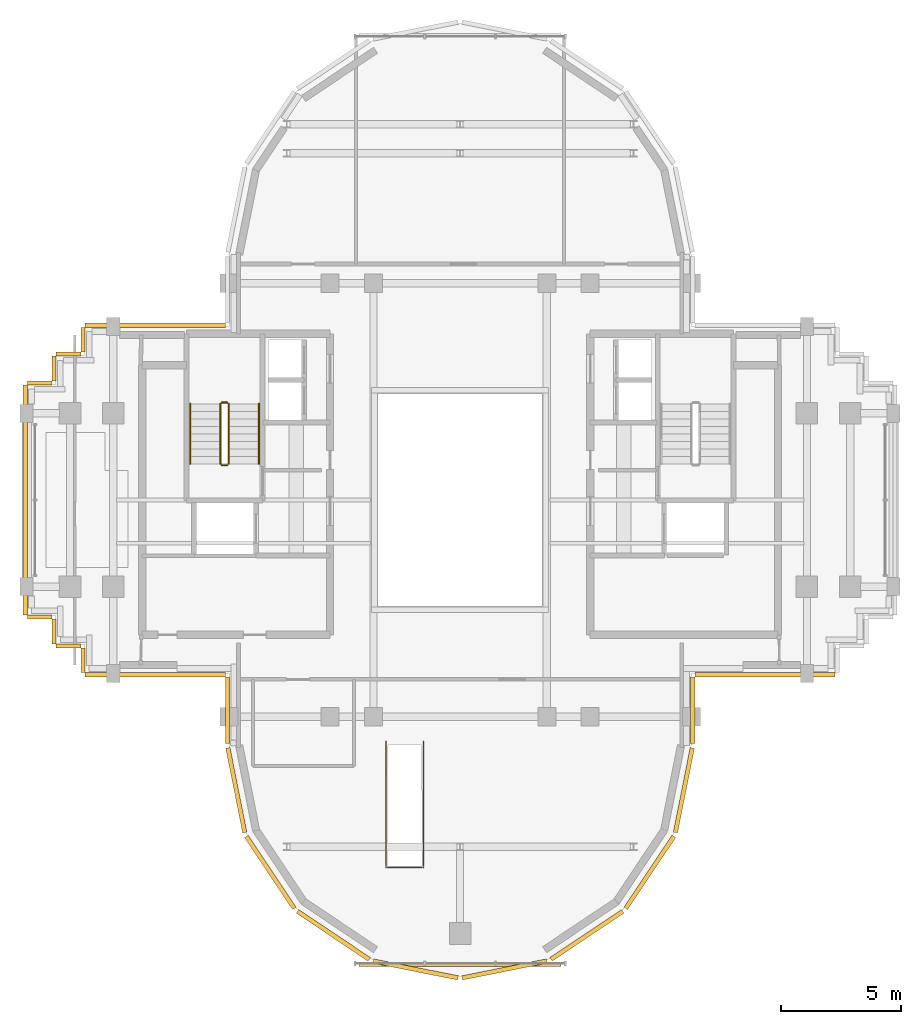
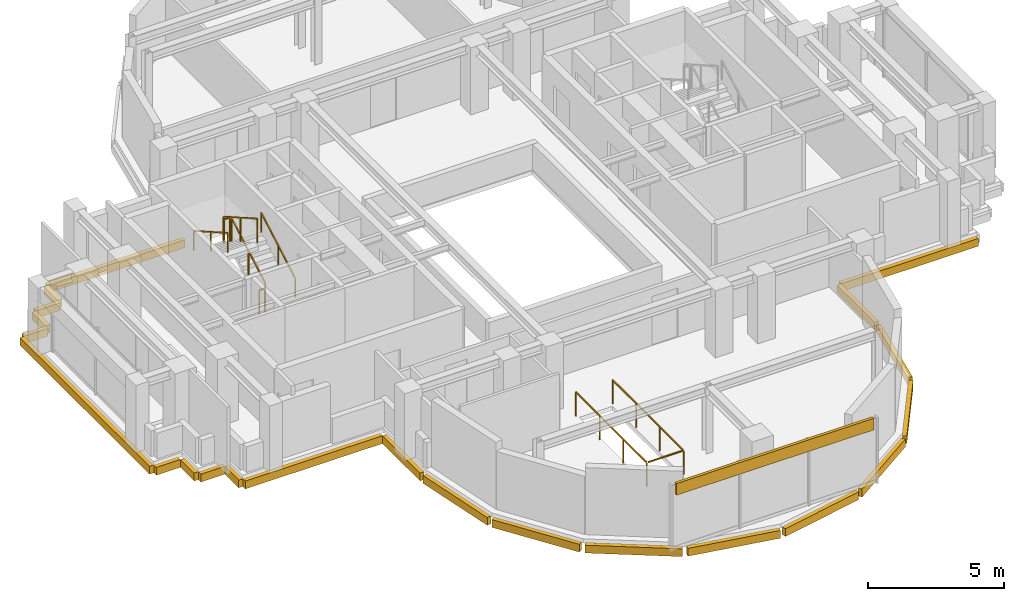
# One storey, part 11 of 12: 23 coverings, 7 railings.
"""IFC4 building model written with IfcOpenShell, lengths in metres."""

import ifcopenshell
import ifcopenshell.guid

model = None  # the IFC model being written
_history = None  # IfcOwnerHistory: only IFC2X3 demands one
_inside = {}  # id of a spatial element -> (the spatial element, [elements in it])
_under = {}  # id of a project, library or spatial element -> (it, [spatial elements below it])
_declared = {}  # id of a project -> (the project, [libraries it declares])
_typed = {}  # id of a type object -> (the type object, [elements of that type])
_made_of = {}  # id of a material, layer set ... -> (it, [elements and type objects made of it])


def new_model(schema):
    """Start an empty IFC model of exactly this schema.

    Asked for "IFC4X3", IfcOpenShell would pick the latest addendum, in which some entities
    have other attributes; the version numbers below select the first issue.
    IFC2X3 requires an IfcOwnerHistory on every rooted entity: one is made here for all.
    """
    global model, _history
    if schema == "IFC4X3":
        model = ifcopenshell.file(schema_version=(4, 3, 0, 0))
    else:
        model = ifcopenshell.file(schema=schema)
    _inside.clear()
    _under.clear()
    _declared.clear()
    _typed.clear()
    _made_of.clear()
    _history = None
    if model.schema == "IFC2X3":
        org = make("IfcOrganization", Name="unknown")
        user = make(
            "IfcPersonAndOrganization",
            ThePerson=make("IfcPerson", FamilyName="unknown"),
            TheOrganization=org,
        )
        app = make(
            "IfcApplication",
            ApplicationDeveloper=org,
            Version="unknown",
            ApplicationFullName="unknown",
            ApplicationIdentifier="unknown",
        )
        _history = make(
            "IfcOwnerHistory",
            OwningUser=user,
            OwningApplication=app,
            ChangeAction="ADDED",
            CreationDate=0,
        )
    return model


def make(cls, **values):
    """One entity of the class cls with the attributes given. An attribute that is None is left unset."""
    return model.create_entity(
        cls, **{name: value for name, value in values.items() if value is not None}
    )


def rooted(cls, **values):
    """An entity with a GlobalId (a new one), such as an element, a storey or a relation."""
    return make(cls, GlobalId=ifcopenshell.guid.new(), OwnerHistory=_history, **values)


def si_unit(unit_type, name, prefix=None):
    """IfcSIUnit, for example si_unit("LENGTHUNIT", "METRE", prefix="MILLI")."""
    return make("IfcSIUnit", UnitType=unit_type, Prefix=prefix, Name=name)


def assignment(units):
    """IfcUnitAssignment: the units of a project."""
    return None if units is None else make("IfcUnitAssignment", Units=units)


def point(xyz):
    """IfcCartesianPoint."""
    return None if xyz is None else make("IfcCartesianPoint", Coordinates=xyz)


def direction(xyz):
    """IfcDirection."""
    return None if xyz is None else make("IfcDirection", DirectionRatios=xyz)


def frame(location, z_axis=None, x_axis=None):
    """IfcAxis2Placement3D, a coordinate frame: its origin and axes. An axis left out is left unset."""
    return make(
        "IfcAxis2Placement3D",
        Location=point(location),
        Axis=direction(z_axis),
        RefDirection=direction(x_axis),
    )


def frame_2d(location, x_axis=None):
    """IfcAxis2Placement2D, a coordinate frame in the plane: its origin and x axis."""
    return make(
        "IfcAxis2Placement2D", Location=point(location), RefDirection=direction(x_axis)
    )


def origin():
    """The frame at (0, 0, 0) with its axes left unset."""
    return frame((0.0, 0.0, 0.0))


def origin_2d():
    """The frame at (0, 0) in the plane with its x axis left unset."""
    return frame_2d((0.0, 0.0))


def place(relative_to, where):
    """IfcLocalPlacement: puts the frame where relative to a parent placement (None: the world)."""
    return make(
        "IfcLocalPlacement", PlacementRelTo=relative_to, RelativePlacement=where
    )


def context(
    kind, dimensions, precision=None, world=None, true_north=None, identifier=None
):
    """IfcGeometricRepresentationContext, for example the 3D "Model" context."""
    return make(
        "IfcGeometricRepresentationContext",
        ContextIdentifier=identifier,
        ContextType=kind,
        CoordinateSpaceDimension=dimensions,
        Precision=precision,
        WorldCoordinateSystem=world,
        TrueNorth=true_north,
    )


def subcontext(parent, identifier, kind, view, scale=None):
    """IfcGeometricRepresentationSubContext, for example "Body" below "Model"."""
    return make(
        "IfcGeometricRepresentationSubContext",
        ContextIdentifier=identifier,
        ContextType=kind,
        ParentContext=parent,
        TargetScale=scale,
        TargetView=view,
    )


def project(units=None, contexts=None):
    """IfcProject with its units and contexts."""
    return rooted(
        "IfcProject",
        Name="project",
        RepresentationContexts=contexts,
        UnitsInContext=assignment(units),
    )


def spatial(cls, under=None, at=None, **own):
    """A site, building, storey or space (cls), placed at a placement, below another one or the project."""
    s = rooted(cls, ObjectPlacement=at, **own)
    if under is not None:
        _under.setdefault(under.id(), (under, []))[1].append(s)
    return s


def profile(cls, at=None, kind="AREA", **sizes):
    """A parametric profile (cls). Its sizes go by their IFC names, for example OverallWidth=200.0."""
    return make(cls, ProfileType=kind, Position=at, **sizes)


def rectangle(**sizes):
    """IfcRectangleProfileDef."""
    return profile("IfcRectangleProfileDef", **sizes)


def extrude(swept, where, along, depth):
    """IfcExtrudedAreaSolid: the profile swept, set in the frame where, extruded along a direction by depth."""
    return make(
        "IfcExtrudedAreaSolid",
        SweptArea=swept,
        Position=where,
        ExtrudedDirection=direction(along),
        Depth=depth,
    )


def shape(context_of_items, identifier, shape_type, items):
    """IfcShapeRepresentation: the items that make up one representation, for example the "Body"."""
    return make(
        "IfcShapeRepresentation",
        ContextOfItems=context_of_items,
        RepresentationIdentifier=identifier,
        RepresentationType=shape_type,
        Items=items,
    )


def source(mapping_origin, context_of_items, identifier, shape_type, items):
    """IfcRepresentationMap: a shape defined once, which mapped items show again and again."""
    return make(
        "IfcRepresentationMap",
        MappingOrigin=mapping_origin,
        MappedRepresentation=shape(context_of_items, identifier, shape_type, items),
    )


def transform(
    local_origin,
    x_axis=None,
    y_axis=None,
    z_axis=None,
    scale=None,
    scale2=None,
    scale3=None,
    uniform=True,
):
    """IfcCartesianTransformationOperator3D, or its non-uniform kind. x_axis, y_axis, z_axis: its Axis1, 2, 3."""
    if uniform:
        return make(
            "IfcCartesianTransformationOperator3D",
            Axis1=direction(x_axis),
            Axis2=direction(y_axis),
            LocalOrigin=point(local_origin),
            Scale=scale,
            Axis3=direction(z_axis),
        )
    return make(
        "IfcCartesianTransformationOperator3DnonUniform",
        Axis1=direction(x_axis),
        Axis2=direction(y_axis),
        LocalOrigin=point(local_origin),
        Scale=scale,
        Axis3=direction(z_axis),
        Scale2=scale2,
        Scale3=scale3,
    )


def mapped(mapping_source, mapping_target):
    """IfcMappedItem: shows the shape of a source again, moved by a transform."""
    return make(
        "IfcMappedItem", MappingSource=mapping_source, MappingTarget=mapping_target
    )


def material(Name=None, Category=None):
    """IfcMaterial."""
    return make("IfcMaterial", Name=Name, Category=Category)


def layer(
    of_material, thickness, ventilated=None, Name=None, Category=None, Priority=None
):
    """IfcMaterialLayer: one layer of a wall or slab, of a material (None: an air gap)."""
    return make(
        "IfcMaterialLayer",
        Material=of_material,
        LayerThickness=thickness,
        IsVentilated=ventilated,
        Name=Name,
        Category=Category,
        Priority=Priority,
    )


def layer_set(layers, Name=None):
    """IfcMaterialLayerSet."""
    return make("IfcMaterialLayerSet", MaterialLayers=layers, LayerSetName=Name)


def made_of(thing, what):
    """Note that an element or type object is made of a material, layer set ...; save() writes the relation."""
    if what is not None:
        _made_of.setdefault(what.id(), (what, []))[1].append(thing)
    return thing


def type_object(cls, material=None, **own):
    """A type object (cls), such as IfcWallType, which elements share."""
    return made_of(rooted(cls, **own), material)


def element(
    cls,
    number,
    at=None,
    inside=None,
    cuts=None,
    type_object=None,
    material=None,
    context=None,
    identifier="Body",
    shape_type=None,
    held_by="IfcProductDefinitionShape",
    body=None,
    shapes=None,
    **own,
):
    """One element of the class cls, such as IfcWall. Its Tag is "e" and its number.

    at: its placement. inside: the storey or other place that contains it. cuts: it is an
    opening in that element (IfcRelVoidsElement). A single representation is given by context,
    identifier, shape_type and body (its items); several are given by shapes. held_by: the class
    of the entity that holds the representations. save() writes the other relations.
    """
    e = rooted(cls, Tag="e%d" % number, ObjectPlacement=at, **own)
    if body is not None:
        shapes = [shape(context, identifier, shape_type, body)]
    if shapes is not None:
        e.Representation = make(held_by, Representations=shapes)
    if inside is not None:
        _inside.setdefault(inside.id(), (inside, []))[1].append(e)
    if cuts is not None:
        rooted(
            "IfcRelVoidsElement", RelatingBuildingElement=cuts, RelatedOpeningElement=e
        )
    if type_object is not None:
        _typed.setdefault(type_object.id(), (type_object, []))[1].append(e)
    return made_of(e, material)


def aggregate(whole, parts):
    """IfcRelAggregates: a whole, such as a stair, and the parts it consists of."""
    return rooted("IfcRelAggregates", RelatingObject=whole, RelatedObjects=parts)


def save(model, path):
    """Write the relations noted so far, then the file.

    IfcRelAggregates (storeys below a building ...), IfcRelContainedInSpatialStructure (elements
    in a storey), IfcRelDefinesByType, IfcRelAssociatesMaterial and IfcRelDeclares: one each for
    every whole, place, type object, material and project.
    """
    for whole, parts in _under.values():
        aggregate(whole, parts)
    for where, things in _inside.values():
        rooted(
            "IfcRelContainedInSpatialStructure",
            RelatedElements=things,
            RelatingStructure=where,
        )
    for kind, things in _typed.values():
        rooted("IfcRelDefinesByType", RelatedObjects=things, RelatingType=kind)
    for what, things in _made_of.values():
        rooted("IfcRelAssociatesMaterial", RelatedObjects=things, RelatingMaterial=what)
    for by, libraries in _declared.values():
        rooted("IfcRelDeclares", RelatingContext=by, RelatedDefinitions=libraries)
    model.write(path)


model = new_model("IFC4")

# Units and contexts
model_context = context("Model", 3, precision=1e-05, world=origin(), true_north=direction((0.0, 1.0)))
body_context = subcontext(model_context, "Body", "Model", "MODEL_VIEW")
ifc_project = project(units=[si_unit("LENGTHUNIT", "METRE"), si_unit("AREAUNIT", "SQUARE_METRE"), si_unit("VOLUMEUNIT", "CUBIC_METRE"), si_unit("PLANEANGLEUNIT", "RADIAN"), si_unit("MASSUNIT", "GRAM", prefix="KILO")], contexts=[model_context])

# Site, building, storey
site_placement = place(None, origin())
site = spatial("IfcSite", under=ifc_project, at=site_placement, CompositionType="ELEMENT")
building_placement = place(site_placement, origin())
building = spatial("IfcBuilding", under=site, at=building_placement, Name="Keilestroom Media Tower", CompositionType="ELEMENT")
storey_placement = place(building_placement, frame((0.0, 0.0, 242.800048828125)))
storey = spatial("IfcBuildingStorey", under=building, at=storey_placement, Name="L67", CompositionType="ELEMENT", Elevation=242.800048828125)

# Railings
ifc_material_1 = material(Name="Brushed Stainless Steel 1.4301", Category="steel")
railing_type_1 = type_object("IfcRailingType", Name="Stair-Pitch-Handrail-920", PredefinedType="HANDRAIL", material=ifc_material_1)
railing_1_placement = place(storey_placement, frame((-8.35009765625, 1.5, 0.177734375)))
element("IfcRailing", 1, at=railing_1_placement, inside=storey, type_object=railing_type_1, Name="L67 ST-1 stair handrail 1", PredefinedType="HANDRAIL", context=body_context, shape_type="SweptSolid", body=[
    extrude(rectangle(XDim=0.048095703125, YDim=0.048095703125, at=origin_2d()), frame((0.0, 0.0, 0.8759765625), z_axis=(0.0, 0.868875238982, 0.495031129408), x_axis=(-1.0, 0.0, 0.0)), (0.0, 0.0, 1.0), 2.872802734375),
    extrude(rectangle(XDim=0.0419921875, YDim=0.0419921875, at=origin_2d()), origin(), (0.0, 0.0, 1.0), 0.84375),
    extrude(rectangle(XDim=0.0419921875, YDim=0.0419921875, at=origin_2d()), frame((0.0, 1.248046875, 0.7109375)), (0.0, 0.0, 1.0), 0.84375),
    extrude(rectangle(XDim=0.0419921875, YDim=0.0419921875, at=origin_2d()), frame((0.0, 2.49609375, 1.422119140625)), (0.0, 0.0, 1.0), 0.84375),
])
railing_2_placement = place(storey_placement, frame((-11.2099609375, 3.99609375, 1.77783203125)))
element("IfcRailing", 2, at=railing_2_placement, inside=storey, type_object=railing_type_1, Name="L67 ST-1 stair handrail 2", PredefinedType="HANDRAIL", context=body_context, shape_type="SweptSolid", body=[
    extrude(rectangle(XDim=0.048095703125, YDim=0.048095703125, at=origin_2d()), frame((0.0, 0.0, 0.8759765625), z_axis=(0.0, -0.868875238982, 0.495031129408), x_axis=(1.0, 0.0, 0.0)), (0.0, 0.0, 1.0), 2.872802734375),
    extrude(rectangle(XDim=0.0419921875, YDim=0.0419921875, at=origin_2d()), origin(), (0.0, 0.0, 1.0), 0.84375),
    extrude(rectangle(XDim=0.0419921875, YDim=0.0419921875, at=origin_2d()), frame((0.0, -1.248046875, 0.7109375)), (0.0, 0.0, 1.0), 0.84375),
    extrude(rectangle(XDim=0.0419921875, YDim=0.0419921875, at=origin_2d()), frame((0.0, -2.49609375, 1.422119140625)), (0.0, 0.0, 1.0), 0.84375),
])
ifc_material_2 = material(Name="Painted Steel Balustrade", Category="steel")
railing_type_2 = type_object("IfcRailingType", Name="Stair-Well-And-Landing-Guard-1100", PredefinedType="GUARDRAIL", material=ifc_material_2)
railing_3_placement = place(storey_placement, frame((-9.610107421875, 1.5, 0.177734375)))
element("IfcRailing", 3, at=railing_3_placement, inside=storey, type_object=railing_type_2, Name="L67 ST-1 stair guard 1", PredefinedType="GUARDRAIL", context=body_context, shape_type="SweptSolid", body=[
    extrude(rectangle(XDim=0.048095703125, YDim=0.048095703125, at=origin_2d()), frame((0.0, 0.0, 1.076171875), z_axis=(0.0, 0.868875238982, 0.495031129408), x_axis=(-1.0, 0.0, 0.0)), (0.0, 0.0, 1.0), 2.872802734375),
    extrude(rectangle(XDim=0.0419921875, YDim=0.0419921875, at=origin_2d()), origin(), (0.0, 0.0, 1.0), 1.0439453125),
    extrude(rectangle(XDim=0.0419921875, YDim=0.0419921875, at=origin_2d()), frame((0.0, 1.248046875, 0.7109375)), (0.0, 0.0, 1.0), 1.0439453125),
    extrude(rectangle(XDim=0.0419921875, YDim=0.0419921875, at=origin_2d()), frame((0.0, 2.49609375, 1.422119140625)), (0.0, 0.0, 1.0), 1.0439453125),
])
railing_4_placement = place(storey_placement, frame((-9.659912109375, 4.0458984375, 1.599853515625)))
element("IfcRailing", 4, at=railing_4_placement, inside=storey, type_object=railing_type_2, Name="L67 ST-1 stair guard 2", PredefinedType="GUARDRAIL", context=body_context, shape_type="SweptSolid", body=[
    extrude(rectangle(XDim=0.048095703125, YDim=0.048095703125, at=origin_2d()), frame((0.0, 0.0, 1.076171875), z_axis=(-1.0, 0.0, 0.0), x_axis=(0.0, -1.0, 0.0)), (0.0, 0.0, 1.0), 0.239990234375),
    extrude(rectangle(XDim=0.0419921875, YDim=0.0419921875, at=origin_2d()), origin(), (0.0, 0.0, 1.0), 1.0439453125),
    extrude(rectangle(XDim=0.0419921875, YDim=0.0419921875, at=origin_2d()), frame((-0.239990234375, 0.0, 0.0)), (0.0, 0.0, 1.0), 1.0439453125),
])
railing_5_placement = place(storey_placement, frame((-9.949951171875, 3.99609375, 1.77783203125)))
element("IfcRailing", 5, at=railing_5_placement, inside=storey, type_object=railing_type_2, Name="L67 ST-1 stair guard 3", PredefinedType="GUARDRAIL", context=body_context, shape_type="SweptSolid", body=[
    extrude(rectangle(XDim=0.048095703125, YDim=0.048095703125, at=origin_2d()), frame((0.0, 0.0, 1.076171875), z_axis=(0.0, -0.868875238982, 0.495031129408), x_axis=(1.0, 0.0, 0.0)), (0.0, 0.0, 1.0), 2.872802734375),
    extrude(rectangle(XDim=0.0419921875, YDim=0.0419921875, at=origin_2d()), origin(), (0.0, 0.0, 1.0), 1.0439453125),
    extrude(rectangle(XDim=0.0419921875, YDim=0.0419921875, at=origin_2d()), frame((0.0, -1.248046875, 0.7109375)), (0.0, 0.0, 1.0), 1.0439453125),
    extrude(rectangle(XDim=0.0419921875, YDim=0.0419921875, at=origin_2d()), frame((0.0, -2.49609375, 1.422119140625)), (0.0, 0.0, 1.0), 1.0439453125),
])
railing_6_placement = place(storey_placement, frame((-9.659912109375, 1.449951171875, 0.0)))
element("IfcRailing", 6, at=railing_6_placement, inside=storey, type_object=railing_type_2, Name="L67 ST-1 stair guard 4", PredefinedType="GUARDRAIL", context=body_context, shape_type="SweptSolid", body=[
    extrude(rectangle(XDim=0.048095703125, YDim=0.048095703125, at=origin_2d()), frame((0.0, 0.0, 1.076171875), z_axis=(-1.0, 0.0, 0.0), x_axis=(0.0, -1.0, 0.0)), (0.0, 0.0, 1.0), 0.239990234375),
    extrude(rectangle(XDim=0.0419921875, YDim=0.0419921875, at=origin_2d()), origin(), (0.0, 0.0, 1.0), 1.0439453125),
    extrude(rectangle(XDim=0.0419921875, YDim=0.0419921875, at=origin_2d()), frame((-0.239990234375, 0.0, 0.0)), (0.0, 0.0, 1.0), 1.0439453125),
])
railing_7_placement = place(storey_placement, frame((-3.080078125, -10.034912109375, 0.0)))
element("IfcRailing", 7, at=railing_7_placement, inside=storey, type_object=railing_type_2, Name="ST-F3 Top Well Guard", PredefinedType="GUARDRAIL", context=body_context, shape_type="SweptSolid", body=[
    extrude(rectangle(XDim=0.048095703125, YDim=0.048095703125, at=origin_2d()), frame((0.0, 0.0, 1.076171875), z_axis=(0.0, -1.0, 0.0), x_axis=(1.0, 0.0, 0.0)), (0.0, 0.0, 1.0), 5.177001953125),
    extrude(rectangle(XDim=0.048095703125, YDim=0.048095703125, at=origin_2d()), frame((0.048095703125, -5.22509765625, 1.076171875), z_axis=(1.0, 0.0, 0.0), x_axis=(0.0, 1.0, 0.0)), (0.0, 0.0, 1.0), 1.4638671875),
    extrude(rectangle(XDim=0.048095703125, YDim=0.048095703125, at=origin_2d()), frame((1.56005859375, -5.177001953125, 1.076171875), z_axis=(0.0, 1.0, 0.0), x_axis=(-1.0, 0.0, 0.0)), (0.0, 0.0, 1.0), 5.177001953125),
    extrude(rectangle(XDim=0.0419921875, YDim=0.0419921875, at=origin_2d()), origin(), (0.0, 0.0, 1.0), 1.0439453125),
    extrude(rectangle(XDim=0.0419921875, YDim=0.0419921875, at=origin_2d()), frame((0.0, -1.74169921875, 0.0)), (0.0, 0.0, 1.0), 1.0439453125),
    extrude(rectangle(XDim=0.0419921875, YDim=0.0419921875, at=origin_2d()), frame((0.0, -3.4833984375, 0.0)), (0.0, 0.0, 1.0), 1.0439453125),
    extrude(rectangle(XDim=0.0419921875, YDim=0.0419921875, at=origin_2d()), frame((0.0, -5.22509765625, 0.0)), (0.0, 0.0, 1.0), 1.0439453125),
    extrude(rectangle(XDim=0.0419921875, YDim=0.0419921875, at=origin_2d()), frame((1.56005859375, -5.22509765625, 0.0)), (0.0, 0.0, 1.0), 1.0439453125),
    extrude(rectangle(XDim=0.0419921875, YDim=0.0419921875, at=origin_2d()), frame((1.56005859375, -3.4833984375, 0.0)), (0.0, 0.0, 1.0), 1.0439453125),
    extrude(rectangle(XDim=0.0419921875, YDim=0.0419921875, at=origin_2d()), frame((1.56005859375, -1.74169921875, 0.0)), (0.0, 0.0, 1.0), 1.0439453125),
    extrude(rectangle(XDim=0.0419921875, YDim=0.0419921875, at=origin_2d()), frame((1.56005859375, 0.0, 0.0)), (0.0, 0.0, 1.0), 1.0439453125),
])

# Coverings
ifc_material_3 = material(Name="Precast concrete C40/50", Category="concrete")
ifc_layer = layer(ifc_material_3, 0.1201171875)
ifc_layer_set = layer_set([ifc_layer], Name="Precast concrete C40/50")
covering_type = type_object("IfcCoveringType", Name="Exterior-Precast-Spandrel-Cladding-Panel-120", PredefinedType="CLADDING", material=ifc_layer_set)
shared_shape_1 = source(origin(), body_context, "Body", "SweptSolid", [
    extrude(rectangle(XDim=8.39990234375, YDim=0.1201171875, at=origin_2d()), origin(), (0.0, 0.0, 1.0), 0.52001953125),
])
covering_1_placement = place(storey_placement, frame((0.0, -19.320068359375, 2.5), z_axis=(0.0, 0.0, 1.0), x_axis=(1.0, 0.0, 0.0)))
element("IfcCovering", 8, at=covering_1_placement, inside=storey, type_object=covering_type, Name="L67 Precast Spandrel Cladding S", PredefinedType="CLADDING", context=body_context, shape_type="MappedRepresentation", body=[
    mapped(shared_shape_1, transform((0.0, 0.0, 0.0), x_axis=(1.0, 0.0, 0.0), y_axis=(0.0, 1.0, 0.0), z_axis=(0.0, 0.0, 1.0), scale=1.0)),
])
shared_shape_2 = source(origin(), body_context, "Body", "SweptSolid", [
    extrude(rectangle(XDim=1.02001953125, YDim=0.179931640625, at=origin_2d()), origin(), (0.0, 0.0, 1.0), 0.35009765625),
])
for number, where, z_axis, x_axis, name in (
    (9, (-15.659912109375, -6.659912109375, -0.530029296875), (0.0, 0.0, 1.0), (0.0, 1.0, 0.0), "L67 Precast Slab-Edge Fascia Cornice 17"),
    (10, (-16.260009765625, -6.06005859375, -0.530029296875), (0.0, 0.0, 1.0), (-1.0, 0.0, 0.0), "L67 Precast Slab-Edge Fascia Cornice 18"),
    (11, (-16.860107421875, -5.4599609375, -0.530029296875), (0.0, 0.0, 1.0), (0.0, 1.0, 0.0), "L67 Precast Slab-Edge Fascia Cornice 19"),
    (12, (-17.4599609375, -4.860107421875, -0.530029296875), (0.0, 0.0, 1.0), (-1.0, 0.0, 0.0), "L67 Precast Slab-Edge Fascia Cornice 20"),
    (13, (-17.4599609375, 4.860107421875, -0.530029296875), (0.0, 0.0, 1.0), (1.0, 0.0, 0.0), "L67 Precast Slab-Edge Fascia Cornice 22"),
    (14, (-16.860107421875, 5.4599609375, -0.530029296875), (0.0, 0.0, 1.0), (0.0, 1.0, 0.0), "L67 Precast Slab-Edge Fascia Cornice 23"),
    (15, (-16.260009765625, 6.06005859375, -0.530029296875), (0.0, 0.0, 1.0), (1.0, 0.0, 0.0), "L67 Precast Slab-Edge Fascia Cornice 24"),
    (16, (-15.659912109375, 6.659912109375, -0.530029296875), (0.0, 0.0, 1.0), (0.0, 1.0, 0.0), "L67 Precast Slab-Edge Fascia Cornice 25"),
):
    element("IfcCovering", number, at=place(storey_placement, frame(where, z_axis=z_axis, x_axis=x_axis)), inside=storey, type_object=covering_type, Name=name, PredefinedType="CLADDING", context=body_context, shape_type="MappedRepresentation", body=[
        mapped(shared_shape_2, transform((0.0, 0.0, 0.0), x_axis=(1.0, 0.0, 0.0), y_axis=(0.0, 1.0, 0.0), z_axis=(0.0, 0.0, 1.0), scale=1.0)),
    ])
shared_shape_3 = source(origin(), body_context, "Body", "SweptSolid", [
    extrude(rectangle(XDim=5.820068359375, YDim=0.179931640625, at=origin_2d()), origin(), (0.0, 0.0, 1.0), 0.35009765625),
])
for number, where, z_axis, x_axis, name in (
    (17, (12.659912109375, -7.260009765625, -0.530029296875), (0.0, 0.0, 1.0), (-1.0, 0.0, 0.0), "L67 Precast Slab-Edge Fascia Cornice 05"),
    (18, (-12.659912109375, -7.260009765625, -0.530029296875), (0.0, 0.0, 1.0), (-1.0, 0.0, 0.0), "L67 Precast Slab-Edge Fascia Cornice 16"),
    (19, (-12.659912109375, 7.260009765625, -0.530029296875), (0.0, 0.0, 1.0), (1.0, 0.0, 0.0), "L67 Precast Slab-Edge Fascia Cornice 26"),
):
    element("IfcCovering", number, at=place(storey_placement, frame(where, z_axis=z_axis, x_axis=x_axis)), inside=storey, type_object=covering_type, Name=name, PredefinedType="CLADDING", context=body_context, shape_type="MappedRepresentation", body=[
        mapped(shared_shape_3, transform((0.0, 0.0, 0.0), x_axis=(1.0, 0.0, 0.0), y_axis=(0.0, 1.0, 0.0), z_axis=(0.0, 0.0, 1.0), scale=1.0)),
    ])
shared_shape_4 = source(origin(), body_context, "Body", "SweptSolid", [
    extrude(rectangle(XDim=2.765869140625, YDim=0.179931640625, at=origin_2d()), origin(), (0.0, 0.0, 1.0), 0.35009765625),
])
for number, where, z_axis, x_axis, name in (
    (20, (9.659912109375, -8.73291015625, -0.530029296875), (0.0, 0.0, 1.0), (0.0, -1.0, 0.0), "L67 Precast Slab-Edge Fascia Cornice 06"),
    (21, (-9.659912109375, -8.73291015625, -0.530029296875), (0.0, 0.0, 1.0), (0.0, 1.0, 0.0), "L67 Precast Slab-Edge Fascia Cornice 15"),
):
    element("IfcCovering", number, at=place(storey_placement, frame(where, z_axis=z_axis, x_axis=x_axis)), inside=storey, type_object=covering_type, Name=name, PredefinedType="CLADDING", context=body_context, shape_type="MappedRepresentation", body=[
        mapped(shared_shape_4, transform((0.0, 0.0, 0.0), x_axis=(1.0, 0.0, 0.0), y_axis=(0.0, 1.0, 0.0), z_axis=(0.0, 0.0, 1.0), scale=1.0)),
    ])
shared_shape_5 = source(origin(), body_context, "Body", "SweptSolid", [
    extrude(rectangle(XDim=3.58349609375, YDim=0.179931640625, at=origin_2d()), origin(), (0.0, 0.0, 1.0), 0.35009765625),
])
for number, where, z_axis, x_axis, name in (
    (22, (9.29296875, -12.051513671875, -0.530029296875), (0.0, 0.0, 1.0), (-0.195098880975, -0.980783577882, 0.0), "L67 Precast Slab-Edge Fascia Cornice 07"),
    (23, (-9.29296875, -12.051513671875, -0.530029296875), (0.0, 0.0, 1.0), (-0.195098880975, 0.980783577882, 0.0), "L67 Precast Slab-Edge Fascia Cornice 14"),
):
    element("IfcCovering", number, at=place(storey_placement, frame(where, z_axis=z_axis, x_axis=x_axis)), inside=storey, type_object=covering_type, Name=name, PredefinedType="CLADDING", context=body_context, shape_type="MappedRepresentation", body=[
        mapped(shared_shape_5, transform((0.0, 0.0, 0.0), x_axis=(1.0, 0.0, 0.0), y_axis=(0.0, 1.0, 0.0), z_axis=(0.0, 0.0, 1.0), scale=1.0)),
    ])
shared_shape_6 = source(origin(), body_context, "Body", "SweptSolid", [
    extrude(rectangle(XDim=3.589599609375, YDim=0.179931640625, at=origin_2d()), origin(), (0.0, 0.0, 1.0), 0.35009765625),
])
for number, where, z_axis, x_axis, name in (
    (24, (7.878662109375, -15.46435546875, -0.530029296875), (0.0, 0.0, 1.0), (-0.555574586577, -0.831466703332, 0.0), "L67 Precast Slab-Edge Fascia Cornice 08"),
    (25, (5.264404296875, -18.07861328125, -0.530029296875), (0.0, 0.0, 1.0), (-0.831466703332, -0.555574586577, 0.0), "L67 Precast Slab-Edge Fascia Cornice 09"),
    (26, (1.8486328125, -19.493408203125, -0.530029296875), (0.0, 0.0, 1.0), (-0.980783577882, -0.195098880975, 0.0), "L67 Precast Slab-Edge Fascia Cornice 10"),
    (27, (-1.8486328125, -19.493408203125, -0.530029296875), (0.0, 0.0, 1.0), (-0.980783577882, 0.195098880975, 0.0), "L67 Precast Slab-Edge Fascia Cornice 11"),
    (28, (-5.264404296875, -18.07861328125, -0.530029296875), (0.0, 0.0, 1.0), (-0.831466703332, 0.555574586577, 0.0), "L67 Precast Slab-Edge Fascia Cornice 12"),
    (29, (-7.878662109375, -15.46435546875, -0.530029296875), (0.0, 0.0, 1.0), (-0.555574586577, 0.831466703332, 0.0), "L67 Precast Slab-Edge Fascia Cornice 13"),
):
    element("IfcCovering", number, at=place(storey_placement, frame(where, z_axis=z_axis, x_axis=x_axis)), inside=storey, type_object=covering_type, Name=name, PredefinedType="CLADDING", context=body_context, shape_type="MappedRepresentation", body=[
        mapped(shared_shape_6, transform((0.0, 0.0, 0.0), x_axis=(1.0, 0.0, 0.0), y_axis=(0.0, 1.0, 0.0), z_axis=(0.0, 0.0, 1.0), scale=1.0)),
    ])
shared_shape_7 = source(origin(), body_context, "Body", "SweptSolid", [
    extrude(rectangle(XDim=9.5400390625, YDim=0.179931640625, at=origin_2d()), origin(), (0.0, 0.0, 1.0), 0.35009765625),
])
covering_2_placement = place(storey_placement, frame((-18.06005859375, 0.0, -0.530029296875), z_axis=(0.0, 0.0, 1.0), x_axis=(0.0, 1.0, 0.0)))
element("IfcCovering", 30, at=covering_2_placement, inside=storey, type_object=covering_type, Name="L67 Precast Slab-Edge Fascia Cornice 21", PredefinedType="CLADDING", context=body_context, shape_type="MappedRepresentation", body=[
    mapped(shared_shape_7, transform((0.0, 0.0, 0.0), x_axis=(1.0, 0.0, 0.0), y_axis=(0.0, 1.0, 0.0), z_axis=(0.0, 0.0, 1.0), scale=1.0)),
])

save(model, "model.ifc")
